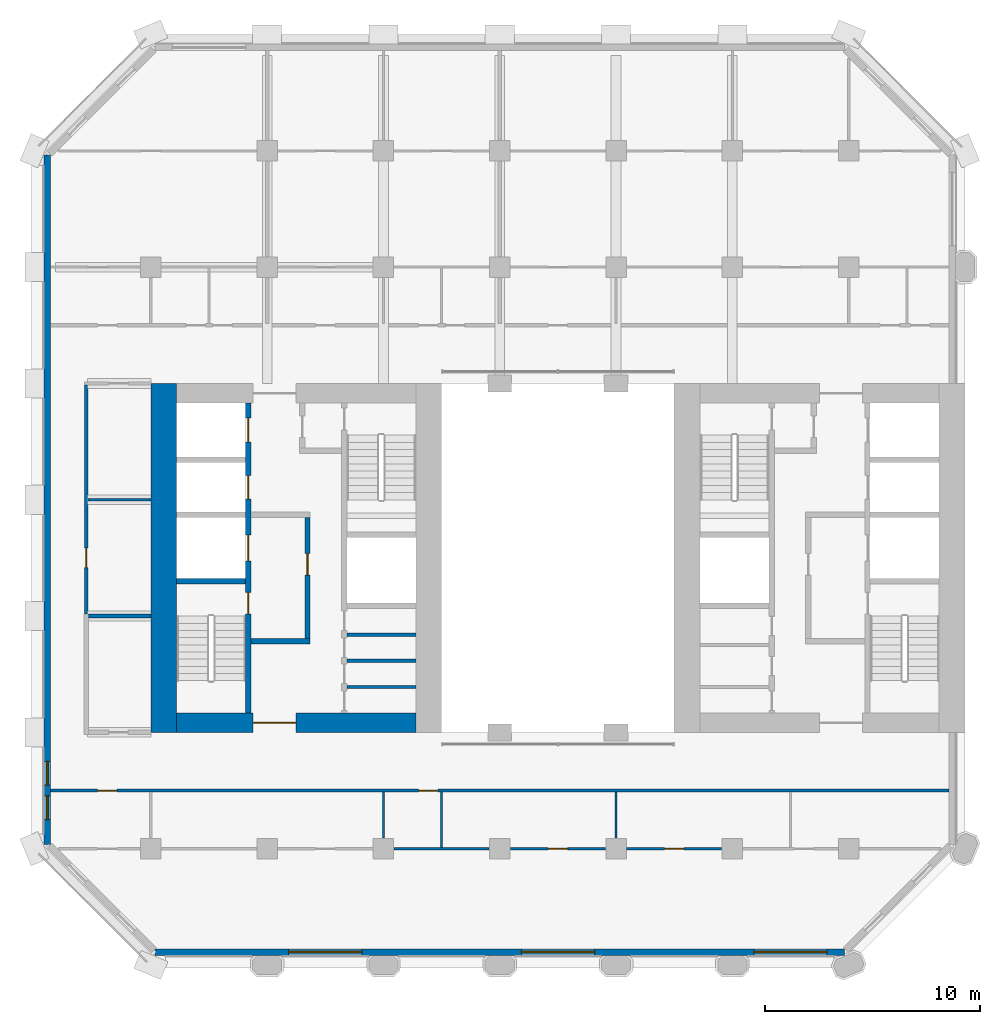
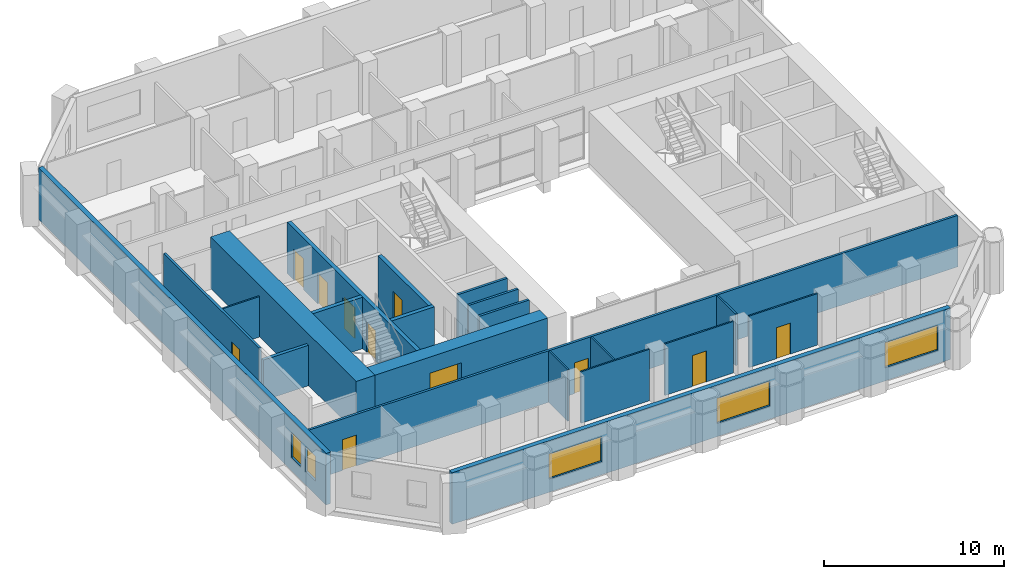
# One storey, part 6 of 12: 21 walls, 11 doors, 5 windows, 16 openings.
"""IFC4 building model written with IfcOpenShell, lengths in metres."""

from ifc_helpers import new_model, si_unit, direction, frame, frame_2d, origin, place, context, subcontext, project, spatial, rectangle, extrude, material, layer, layer_set, type_object, element, fill, save


model = new_model("IFC4")

# Units and contexts
model_context = context("Model", 3, precision=1e-05, world=origin(), true_north=direction((0.0, 1.0)))
body_context = subcontext(model_context, "Body", "Model", "MODEL_VIEW")
ifc_project = project(units=[si_unit("LENGTHUNIT", "METRE"), si_unit("AREAUNIT", "SQUARE_METRE"), si_unit("VOLUMEUNIT", "CUBIC_METRE"), si_unit("PLANEANGLEUNIT", "RADIAN"), si_unit("MASSUNIT", "GRAM", prefix="KILO")], contexts=[model_context])

# Site, building, storey
site_placement = place(None, origin())
site = spatial("IfcSite", under=ifc_project, at=site_placement, CompositionType="ELEMENT")
building_placement = place(site_placement, origin())
building = spatial("IfcBuilding", under=site, at=building_placement, Name="Tabaq Tower and Sports Hall", CompositionType="ELEMENT")
storey_placement = place(building_placement, frame((0.0, 0.0, 99.199951171875)))
storey = spatial("IfcBuildingStorey", under=building, at=storey_placement, Name="L23", CompositionType="ELEMENT", Elevation=99.199951171875)

# Walls
ifc_material_1 = material(Name="Blockwork", Category="masonry")
ifc_layer_1 = layer(ifc_material_1, 0.14990234375)
ifc_layer_set_1 = layer_set([ifc_layer_1], Name="Core room partition 150 Blockwork")
wall_type_1 = type_object("IfcWallType", Name="Core room partition 150 Blockwork", PredefinedType="PARTITIONING", material=ifc_layer_set_1)
for number, where, z_axis, x_axis, name in (
    (1, (14.5, 18.31201171875, 0.0), (0.0, 0.0, 1.0), (1.0, 0.0, 0.0), "Core room partition W L23"),
    (2, (14.5, 19.52490234375, 0.0), (0.0, 0.0, 1.0), (1.0, 0.0, 0.0), "Core room partition W L23"),
    (3, (14.5, 20.737060546875, 0.0), (0.0, 0.0, 1.0), (1.0, 0.0, 0.0), "Core room partition W L23"),
):
    element("IfcWall", number, at=place(storey_placement, frame(where, z_axis=z_axis, x_axis=x_axis)), inside=storey, type_object=wall_type_1, Name=name, PredefinedType="PARTITIONING", context=body_context, shape_type="SweptSolid", body=[
        extrude(rectangle(XDim=3.199951171875, YDim=0.14990234375, at=frame_2d((1.60009765625, 0.0))), origin(), (0.0, 0.0, 1.0), 3.5),
    ])
ifc_material_2 = material(Name="Concrete C60/75", Category="concrete")
ifc_layer_2 = layer(ifc_material_2, 1.199951171875)
ifc_layer_set_2 = layer_set([ifc_layer_2], Name="Core wall 1200 Concrete C60/75")
wall_type_2 = type_object("IfcWallType", Name="Core wall 1200 Concrete C60/75", PredefinedType="SOLIDWALL", material=ifc_layer_set_2)
wall_1_placement = place(storey_placement, frame((6.0, 16.199951171875, 0.0), z_axis=(0.0, 0.0, 1.0), x_axis=(0.0, 1.0, 0.0)))
element("IfcWall", 4, at=wall_1_placement, inside=storey, type_object=wall_type_2, Name="Core wall W L23", PredefinedType="SOLIDWALL", context=body_context, shape_type="SweptSolid", body=[
    extrude(rectangle(XDim=16.199951171875, YDim=1.199951171875, at=frame_2d((8.10009765625, 0.0))), origin(), (0.0, 0.0, 1.0), 3.5),
])

# Wall, opening, door
ifc_material_3 = material(Name="Concrete C60/75", Category="concrete")
ifc_layer_3 = layer(ifc_material_3, 0.89990234375)
ifc_layer_set_3 = layer_set([ifc_layer_3], Name="Core wall 900 Concrete C60/75")
wall_type_3 = type_object("IfcWallType", Name="Core wall 900 Concrete C60/75", PredefinedType="SOLIDWALL", material=ifc_layer_set_3)
wall_2_placement = place(storey_placement, frame((17.699951171875, 16.64990234375, 0.0), z_axis=(0.0, 0.0, 1.0), x_axis=(-1.0, 0.0, 0.0)))
wall_2 = element("IfcWall", 5, at=wall_2_placement, inside=storey, type_object=wall_type_3, Name="Core wall W L23", PredefinedType="SOLIDWALL", context=body_context, shape_type="SweptSolid", body=[
    extrude(rectangle(XDim=11.099853515625, YDim=0.89990234375, at=frame_2d((5.5498046875, 0.0))), origin(), (0.0, 0.0, 1.0), 3.5),
])
opening_1_placement = place(wall_2_placement, frame((5.550048828125, 0.0, 0.0)))
opening_1 = element("IfcOpeningElement", 6, at=opening_1_placement, cuts=wall_2, Name="Opening PD-WL23-01", PredefinedType="OPENING", context=body_context, shape_type="SweptSolid", body=[
    extrude(rectangle(XDim=2.0, YDim=2.39990234375, at=frame_2d((1.0, 1.199951171875))), frame((0.0, 0.449951171875, 0.0), z_axis=(0.0, -1.0, 0.0), x_axis=(1.0, 0.0, 0.0)), (0.0, 0.0, 1.0), 0.89990234375),
])
ifc_material_4 = material(Name="Steel fire door", Category="steel")
door_type_1 = type_object("IfcDoorType", Name="Core entrance door 2000", OperationType="DOUBLE_DOOR_SINGLE_SWING", PredefinedType="DOOR", material=ifc_material_4)
door_1_placement = place(opening_1_placement, origin())
door_1 = element("IfcDoor", 7, at=door_1_placement, inside=storey, type_object=door_type_1, Name="Core entrance south W L23", OperationType="DOUBLE_DOOR_SINGLE_SWING", OverallHeight=2.39990234375, OverallWidth=2.0, PredefinedType="DOOR", context=body_context, shape_type="SweptSolid", body=[
    extrude(rectangle(XDim=2.0, YDim=2.39990234375, at=frame_2d((1.0, 1.199951171875))), frame((0.0, 0.02490234375, 0.0), z_axis=(0.0, -1.0, 0.0), x_axis=(1.0, 0.0, 0.0)), (0.0, 0.0, 1.0), 0.050048828125),
])
fill(opening_1, door_1)

# Walls
ifc_material_5 = material(Name="Blockwork", Category="masonry")
ifc_layer_4 = layer(ifc_material_5, 0.199951171875)
ifc_layer_set_4 = layer_set([ifc_layer_4], Name="Fire compartment wall 200 Blockwork")
wall_type_4 = type_object("IfcWallType", Name="Fire compartment wall 200 Blockwork", PredefinedType="PARTITIONING", material=ifc_layer_set_4)
wall_3_placement = place(storey_placement, frame((5.39990234375, 21.60009765625, 0.0), z_axis=(0.0, 0.0, 1.0), x_axis=(-1.0, 0.0, 0.0)))
element("IfcWall", 8, at=wall_3_placement, inside=storey, type_object=wall_type_4, Name="Compartment wall L23", PredefinedType="PARTITIONING", context=body_context, shape_type="SweptSolid", body=[
    extrude(rectangle(XDim=2.89990234375, YDim=0.199951171875, at=frame_2d((1.449951171875, 0.0))), origin(), (0.0, 0.0, 1.0), 2.75),
])
ifc_material_6 = material(Name="Gypsum board on steel studs", Category="steel")
ifc_layer_5 = layer(ifc_material_6, 0.10009765625)
ifc_layer_set_5 = layer_set([ifc_layer_5], Name="Partition 100 Gypsum board")
wall_type_5 = type_object("IfcWallType", Name="Partition 100 Gypsum board", PredefinedType="PARTITIONING", material=ifc_layer_set_5)
wall_4_placement = place(storey_placement, frame((16.199951171875, 11.294921875, 0.0), z_axis=(0.0, 0.0, 1.0), x_axis=(0.0, 1.0, 0.0)))
element("IfcWall", 9, at=wall_4_placement, inside=storey, type_object=wall_type_5, Name="Partition wall L23", PredefinedType="PARTITIONING", context=body_context, shape_type="SweptSolid", body=[
    extrude(rectangle(XDim=2.130126953125, YDim=0.10009765625, at=frame_2d((1.06494140625, 0.0))), origin(), (0.0, 0.0, 1.0), 3.5),
])
wall_5_placement = place(storey_placement, frame((18.89990234375, 10.85009765625, 0.0), z_axis=(0.0, 0.0, 1.0), x_axis=(0.0, 1.0, 0.0)))
element("IfcWall", 10, at=wall_5_placement, inside=storey, type_object=wall_type_5, Name="Partition wall L23", PredefinedType="PARTITIONING", context=body_context, shape_type="SweptSolid", body=[
    extrude(rectangle(XDim=2.574951171875, YDim=0.10009765625, at=frame_2d((1.28759765625, 0.0))), origin(), (0.0, 0.0, 1.0), 3.5),
])
wall_6_placement = place(storey_placement, frame((16.695068359375, 10.800048828125, 0.0), z_axis=(0.0, 0.0, 1.0), x_axis=(1.0, 0.0, 0.0)))
element("IfcWall", 11, at=wall_6_placement, inside=storey, type_object=wall_type_5, Name="Partition wall L23", PredefinedType="PARTITIONING", context=body_context, shape_type="SweptSolid", body=[
    extrude(rectangle(XDim=4.409912109375, YDim=0.10009765625, at=frame_2d((2.205078125, 0.0))), origin(), (0.0, 0.0, 1.0), 3.5),
])

# Wall, opening, door
wall_7_placement = place(storey_placement, frame((22.094970703125, 10.800048828125, 0.0), z_axis=(0.0, 0.0, 1.0), x_axis=(1.0, 0.0, 0.0)))
wall_7 = element("IfcWall", 12, at=wall_7_placement, inside=storey, type_object=wall_type_5, Name="Partition wall L23", PredefinedType="PARTITIONING", context=body_context, shape_type="SweptSolid", body=[
    extrude(rectangle(XDim=4.409912109375, YDim=0.10009765625, at=frame_2d((2.205078125, 0.0))), origin(), (0.0, 0.0, 1.0), 3.5),
])
opening_2_placement = place(wall_7_placement, frame((1.7548828125, 0.0, 0.0)))
opening_2 = element("IfcOpeningElement", 13, at=opening_2_placement, cuts=wall_7, Name="Opening L23-019", PredefinedType="OPENING", context=body_context, shape_type="SweptSolid", body=[
    extrude(rectangle(XDim=0.89990234375, YDim=2.10009765625, at=frame_2d((0.449951171875, 1.050048828125))), frame((0.0, 0.050048828125, 0.0), z_axis=(0.0, -1.0, 0.0), x_axis=(1.0, 0.0, 0.0)), (0.0, 0.0, 1.0), 0.10009765625),
])
ifc_material_7 = material(Name="Timber leaf in steel frame", Category="steel")
door_type_2 = type_object("IfcDoorType", Name="Internal door 900 right hand", OperationType="SINGLE_SWING_RIGHT", PredefinedType="DOOR", material=ifc_material_7)
door_2_placement = place(opening_2_placement, origin())
door_2 = element("IfcDoor", 14, at=door_2_placement, inside=storey, type_object=door_type_2, Name="Internal door L23-019", OperationType="SINGLE_SWING_RIGHT", OverallHeight=2.10009765625, OverallWidth=0.89990234375, PredefinedType="DOOR", context=body_context, shape_type="SweptSolid", body=[
    extrude(rectangle(XDim=0.89990234375, YDim=2.10009765625, at=frame_2d((0.449951171875, 1.050048828125))), frame((0.0, 0.02490234375, 0.0), z_axis=(0.0, -1.0, 0.0), x_axis=(1.0, 0.0, 0.0)), (0.0, 0.0, 1.0), 0.050048828125),
])
fill(opening_2, door_2)

# Wall
wall_8_placement = place(storey_placement, frame((27.0, 11.294921875, 0.0), z_axis=(0.0, 0.0, 1.0), x_axis=(0.0, 1.0, 0.0)))
element("IfcWall", 15, at=wall_8_placement, inside=storey, type_object=wall_type_5, Name="Partition wall L23", PredefinedType="PARTITIONING", context=body_context, shape_type="SweptSolid", body=[
    extrude(rectangle(XDim=2.130126953125, YDim=0.10009765625, at=frame_2d((1.06494140625, 0.0))), origin(), (0.0, 0.0, 1.0), 3.5),
])

# Wall, opening, door
wall_9_placement = place(storey_placement, frame((27.4951171875, 10.800048828125, 0.0), z_axis=(0.0, 0.0, 1.0), x_axis=(1.0, 0.0, 0.0)))
wall_9 = element("IfcWall", 16, at=wall_9_placement, inside=storey, type_object=wall_type_5, Name="Partition wall L23", PredefinedType="PARTITIONING", context=body_context, shape_type="SweptSolid", body=[
    extrude(rectangle(XDim=4.409912109375, YDim=0.10009765625, at=frame_2d((2.205078125, 0.0))), origin(), (0.0, 0.0, 1.0), 3.5),
])
opening_3_placement = place(wall_9_placement, frame((1.7548828125, 0.0, 0.0)))
opening_3 = element("IfcOpeningElement", 17, at=opening_3_placement, cuts=wall_9, Name="Opening L23-020", PredefinedType="OPENING", context=body_context, shape_type="SweptSolid", body=[
    extrude(rectangle(XDim=0.89990234375, YDim=2.10009765625, at=frame_2d((0.449951171875, 1.050048828125))), frame((0.0, 0.050048828125, 0.0), z_axis=(0.0, -1.0, 0.0), x_axis=(1.0, 0.0, 0.0)), (0.0, 0.0, 1.0), 0.10009765625),
])
ifc_material_8 = material(Name="Timber leaf in steel frame", Category="steel")
door_type_3 = type_object("IfcDoorType", Name="Internal door 900 left hand", OperationType="SINGLE_SWING_LEFT", PredefinedType="DOOR", material=ifc_material_8)
door_3_placement = place(opening_3_placement, origin())
door_3 = element("IfcDoor", 18, at=door_3_placement, inside=storey, type_object=door_type_3, Name="Internal door L23-020", OperationType="SINGLE_SWING_LEFT", OverallHeight=2.10009765625, OverallWidth=0.89990234375, PredefinedType="DOOR", context=body_context, shape_type="SweptSolid", body=[
    extrude(rectangle(XDim=0.89990234375, YDim=2.10009765625, at=frame_2d((0.449951171875, 1.050048828125))), frame((0.0, 0.02490234375, 0.0), z_axis=(0.0, -1.0, 0.0), x_axis=(1.0, 0.0, 0.0)), (0.0, 0.0, 1.0), 0.050048828125),
])
fill(opening_3, door_3)

# Wall
wall_10_placement = place(storey_placement, frame((5.39990234375, 27.0, 0.0), z_axis=(0.0, 0.0, 1.0), x_axis=(-1.0, 0.0, 0.0)))
element("IfcWall", 19, at=wall_10_placement, inside=storey, type_object=wall_type_5, Name="Partition wall L23", PredefinedType="PARTITIONING", context=body_context, shape_type="SweptSolid", body=[
    extrude(rectangle(XDim=2.9248046875, YDim=0.10009765625, at=frame_2d((1.46240234375, 0.0))), origin(), (0.0, 0.0, 1.0), 2.75),
])

# Wall, opening, door
ifc_material_9 = material(Name="Blockwork", Category="masonry")
ifc_layer_6 = layer(ifc_material_9, 0.14990234375)
ifc_layer_set_6 = layer_set([ifc_layer_6], Name="Separating wall 150 Blockwork")
wall_type_6 = type_object("IfcWallType", Name="Separating wall 150 Blockwork", PredefinedType="PARTITIONING", material=ifc_layer_set_6)
wall_11_placement = place(storey_placement, frame((2.39990234375, 32.324951171875, 0.0), z_axis=(0.0, 0.0, 1.0), x_axis=(0.0, -1.0, 0.0)))
wall_11 = element("IfcWall", 20, at=wall_11_placement, inside=storey, type_object=wall_type_6, Name="Separating wall L23", PredefinedType="PARTITIONING", context=body_context, shape_type="SweptSolid", body=[
    extrude(rectangle(XDim=10.625, YDim=0.14990234375, at=frame_2d((5.3125, 0.0))), origin(), (0.0, 0.0, 1.0), 3.5),
])
opening_4_placement = place(wall_11_placement, frame((7.574951171875, 0.0, 0.0)))
opening_4 = element("IfcOpeningElement", 21, at=opening_4_placement, cuts=wall_11, Name="Opening L23-009", PredefinedType="OPENING", context=body_context, shape_type="SweptSolid", body=[
    extrude(rectangle(XDim=0.89990234375, YDim=2.10009765625, at=frame_2d((0.449951171875, 1.050048828125))), frame((0.0, 0.074951171875, 0.0), z_axis=(0.0, -1.0, 0.0), x_axis=(1.0, 0.0, 0.0)), (0.0, 0.0, 1.0), 0.14990234375),
])
door_4_placement = place(opening_4_placement, origin())
door_4 = element("IfcDoor", 22, at=door_4_placement, inside=storey, type_object=door_type_2, Name="Internal door L23-009", OperationType="SINGLE_SWING_RIGHT", OverallHeight=2.10009765625, OverallWidth=0.89990234375, PredefinedType="DOOR", context=body_context, shape_type="SweptSolid", body=[
    extrude(rectangle(XDim=0.89990234375, YDim=2.10009765625, at=frame_2d((0.449951171875, 1.050048828125))), frame((0.0, 0.02490234375, 0.0), z_axis=(0.0, -1.0, 0.0), x_axis=(1.0, 0.0, 0.0)), (0.0, 0.0, 1.0), 0.050048828125),
])
fill(opening_4, door_4)

# Wall, openings, doors
wall_12_placement = place(storey_placement, frame((42.448974609375, 13.5, 0.0), z_axis=(0.0, 0.0, 1.0), x_axis=(-1.0, 0.0, 0.0)))
wall_12 = element("IfcWall", 23, at=wall_12_placement, inside=storey, type_object=wall_type_6, Name="Separating wall L23", PredefinedType="PARTITIONING", context=body_context, shape_type="SweptSolid", body=[
    extrude(rectangle(XDim=41.697998046875, YDim=0.14990234375, at=frame_2d((20.84912109375, 0.0))), origin(), (0.0, 0.0, 1.0), 3.5),
])
opening_5_placement = place(wall_12_placement, frame((23.718994140625, 0.0, 0.0)))
opening_5 = element("IfcOpeningElement", 24, at=opening_5_placement, cuts=wall_12, Name="Opening L23-007", PredefinedType="OPENING", context=body_context, shape_type="SweptSolid", body=[
    extrude(rectangle(XDim=0.89990234375, YDim=2.10009765625, at=frame_2d((0.449951171875, 1.050048828125))), frame((0.0, 0.074951171875, 0.0), z_axis=(0.0, -1.0, 0.0), x_axis=(1.0, 0.0, 0.0)), (0.0, 0.0, 1.0), 0.14990234375),
])
opening_6_placement = place(wall_12_placement, frame((38.6240234375, 0.0, 0.0)))
opening_6 = element("IfcOpeningElement", 25, at=opening_6_placement, cuts=wall_12, Name="Opening L23-025", PredefinedType="OPENING", context=body_context, shape_type="SweptSolid", body=[
    extrude(rectangle(XDim=0.89990234375, YDim=2.10009765625, at=frame_2d((0.449951171875, 1.050048828125))), frame((0.0, 0.074951171875, 0.0), z_axis=(0.0, -1.0, 0.0), x_axis=(1.0, 0.0, 0.0)), (0.0, 0.0, 1.0), 0.14990234375),
])
ifc_material_10 = material(Name="Steel fire door", Category="steel")
door_type_4 = type_object("IfcDoorType", Name="Entrance door 900 right hand", OperationType="SINGLE_SWING_RIGHT", PredefinedType="DOOR", material=ifc_material_10)
door_5_placement = place(opening_5_placement, origin())
door_5 = element("IfcDoor", 26, at=door_5_placement, inside=storey, type_object=door_type_4, Name="Entrance door L23-007", OperationType="SINGLE_SWING_RIGHT", OverallHeight=2.10009765625, OverallWidth=0.89990234375, PredefinedType="DOOR", context=body_context, shape_type="SweptSolid", body=[
    extrude(rectangle(XDim=0.89990234375, YDim=2.10009765625, at=frame_2d((0.449951171875, 1.050048828125))), frame((0.0, 0.02490234375, 0.0), z_axis=(0.0, -1.0, 0.0), x_axis=(1.0, 0.0, 0.0)), (0.0, 0.0, 1.0), 0.050048828125),
])
fill(opening_5, door_5)
door_6_placement = place(opening_6_placement, origin())
door_6 = element("IfcDoor", 27, at=door_6_placement, inside=storey, type_object=door_type_4, Name="Entrance door L23-025", OperationType="SINGLE_SWING_RIGHT", OverallHeight=2.10009765625, OverallWidth=0.89990234375, PredefinedType="DOOR", context=body_context, shape_type="SweptSolid", body=[
    extrude(rectangle(XDim=0.89990234375, YDim=2.10009765625, at=frame_2d((0.449951171875, 1.050048828125))), frame((0.0, 0.02490234375, 0.0), z_axis=(0.0, -1.0, 0.0), x_axis=(1.0, 0.0, 0.0)), (0.0, 0.0, 1.0), 0.050048828125),
])
fill(opening_6, door_6)

ifc_material_11 = material(Name="Concrete C40/50", Category="concrete")
ifc_layer_7 = layer(ifc_material_11, 0.25)
ifc_layer_set_7 = layer_set([ifc_layer_7], Name="Shaft and stair wall 250 Concrete C40/50")
wall_type_7 = type_object("IfcWallType", Name="Shaft and stair wall 250 Concrete C40/50", PredefinedType="SOLIDWALL", material=ifc_layer_set_7)
wall_13_placement = place(storey_placement, frame((9.925048828125, 17.10009765625, 0.0), z_axis=(0.0, 0.0, 1.0), x_axis=(0.0, 1.0, 0.0)))
wall_13 = element("IfcWall", 28, at=wall_13_placement, inside=storey, type_object=wall_type_7, Name="Shaft wall W L23", PredefinedType="SOLIDWALL", context=body_context, shape_type="SweptSolid", body=[
    extrude(rectangle(XDim=14.39990234375, YDim=0.25, at=frame_2d((7.199951171875, 0.0))), origin(), (0.0, 0.0, 1.0), 3.5),
])
opening_7_placement = place(wall_13_placement, frame((4.60009765625, 0.0, 0.0)))
opening_7 = element("IfcOpeningElement", 29, at=opening_7_placement, cuts=wall_13, Name="Opening SD-WL23-03", PredefinedType="OPENING", context=body_context, shape_type="SweptSolid", body=[
    extrude(rectangle(XDim=1.0, YDim=2.10009765625, at=frame_2d((0.5, 1.050048828125))), frame((0.0, 0.125, 0.0), z_axis=(0.0, -1.0, 0.0), x_axis=(1.0, 0.0, 0.0)), (0.0, 0.0, 1.0), 0.25),
])
opening_8_placement = place(wall_13_placement, frame((7.0625, 0.0, 0.0)))
opening_8 = element("IfcOpeningElement", 30, at=opening_8_placement, cuts=wall_13, Name="Opening LD-FF1-L23", PredefinedType="OPENING", context=body_context, shape_type="SweptSolid", body=[
    extrude(rectangle(XDim=1.199951171875, YDim=2.10009765625, at=frame_2d((0.60009765625, 1.050048828125))), frame((0.0, 0.125, 0.0), z_axis=(0.0, -1.0, 0.0), x_axis=(1.0, 0.0, 0.0)), (0.0, 0.0, 1.0), 0.25),
])
opening_9_placement = place(wall_13_placement, frame((9.925048828125, 0.0, 0.0)))
opening_9 = element("IfcOpeningElement", 31, at=opening_9_placement, cuts=wall_13, Name="Opening LD-LR1-L23", PredefinedType="OPENING", context=body_context, shape_type="SweptSolid", body=[
    extrude(rectangle(XDim=1.10009765625, YDim=2.10009765625, at=frame_2d((0.550048828125, 1.050048828125))), frame((0.0, 0.125, 0.0), z_axis=(0.0, -1.0, 0.0), x_axis=(1.0, 0.0, 0.0)), (0.0, 0.0, 1.0), 0.25),
])
opening_10_placement = place(wall_13_placement, frame((12.58740234375, 0.0, 0.0)))
opening_10 = element("IfcOpeningElement", 32, at=opening_10_placement, cuts=wall_13, Name="Opening LD-LR2-L23", PredefinedType="OPENING", context=body_context, shape_type="SweptSolid", body=[
    extrude(rectangle(XDim=1.10009765625, YDim=2.10009765625, at=frame_2d((0.550048828125, 1.050048828125))), frame((0.0, 0.125, 0.0), z_axis=(0.0, -1.0, 0.0), x_axis=(1.0, 0.0, 0.0)), (0.0, 0.0, 1.0), 0.25),
])
ifc_material_12 = material(Name="Stainless steel", Category="steel")
door_type_5 = type_object("IfcDoorType", Name="Lift landing door 1100", OperationType="DOUBLE_DOOR_SLIDING", PredefinedType="DOOR", material=ifc_material_12)
door_7_placement = place(opening_9_placement, origin())
door_7 = element("IfcDoor", 33, at=door_7_placement, inside=storey, type_object=door_type_5, Name="Lift landing door LR1 W L23", OperationType="DOUBLE_DOOR_SLIDING", OverallHeight=2.10009765625, OverallWidth=1.10009765625, PredefinedType="DOOR", context=body_context, shape_type="SweptSolid", body=[
    extrude(rectangle(XDim=1.10009765625, YDim=2.10009765625, at=frame_2d((0.550048828125, 1.050048828125))), frame((0.0, 0.02490234375, 0.0), z_axis=(0.0, -1.0, 0.0), x_axis=(1.0, 0.0, 0.0)), (0.0, 0.0, 1.0), 0.050048828125),
])
fill(opening_9, door_7)
door_8_placement = place(opening_10_placement, origin())
door_8 = element("IfcDoor", 34, at=door_8_placement, inside=storey, type_object=door_type_5, Name="Lift landing door LR2 W L23", OperationType="DOUBLE_DOOR_SLIDING", OverallHeight=2.10009765625, OverallWidth=1.10009765625, PredefinedType="DOOR", context=body_context, shape_type="SweptSolid", body=[
    extrude(rectangle(XDim=1.10009765625, YDim=2.10009765625, at=frame_2d((0.550048828125, 1.050048828125))), frame((0.0, 0.02490234375, 0.0), z_axis=(0.0, -1.0, 0.0), x_axis=(1.0, 0.0, 0.0)), (0.0, 0.0, 1.0), 0.050048828125),
])
fill(opening_10, door_8)
ifc_material_13 = material(Name="Stainless steel", Category="steel")
door_type_6 = type_object("IfcDoorType", Name="Lift landing door 1200", OperationType="DOUBLE_DOOR_SLIDING", PredefinedType="DOOR", material=ifc_material_13)
door_9_placement = place(opening_8_placement, origin())
door_9 = element("IfcDoor", 35, at=door_9_placement, inside=storey, type_object=door_type_6, Name="Lift landing door FF1 W L23", OperationType="DOUBLE_DOOR_SLIDING", OverallHeight=2.10009765625, OverallWidth=1.199951171875, PredefinedType="DOOR", context=body_context, shape_type="SweptSolid", body=[
    extrude(rectangle(XDim=1.199951171875, YDim=2.10009765625, at=frame_2d((0.60009765625, 1.050048828125))), frame((0.0, 0.02490234375, 0.0), z_axis=(0.0, -1.0, 0.0), x_axis=(1.0, 0.0, 0.0)), (0.0, 0.0, 1.0), 0.050048828125),
])
fill(opening_8, door_9)
ifc_material_14 = material(Name="Steel fire door", Category="steel")
door_type_7 = type_object("IfcDoorType", Name="Stair door 1000", OperationType="SINGLE_SWING_LEFT", PredefinedType="DOOR", material=ifc_material_14)
door_10_placement = place(opening_7_placement, origin())
door_10 = element("IfcDoor", 36, at=door_10_placement, inside=storey, type_object=door_type_7, Name="Stair door ST1 W L23", OperationType="SINGLE_SWING_LEFT", OverallHeight=2.10009765625, OverallWidth=1.0, PredefinedType="DOOR", context=body_context, shape_type="SweptSolid", body=[
    extrude(rectangle(XDim=1.0, YDim=2.10009765625, at=frame_2d((0.5, 1.050048828125))), frame((0.0, 0.02490234375, 0.0), z_axis=(0.0, -1.0, 0.0), x_axis=(1.0, 0.0, 0.0)), (0.0, 0.0, 1.0), 0.050048828125),
])
fill(opening_7, door_10)

# Walls
wall_14_placement = place(storey_placement, frame((6.60009765625, 23.22509765625, 0.0), z_axis=(0.0, 0.0, 1.0), x_axis=(1.0, 0.0, 0.0)))
element("IfcWall", 37, at=wall_14_placement, inside=storey, type_object=wall_type_7, Name="Stair enclosure wall W L23", PredefinedType="SOLIDWALL", context=body_context, shape_type="SweptSolid", body=[
    extrude(rectangle(XDim=3.199951171875, YDim=0.25, at=frame_2d((1.60009765625, 0.0))), origin(), (0.0, 0.0, 1.0), 3.5),
])
wall_15_placement = place(storey_placement, frame((10.050048828125, 20.425048828125, 0.0), z_axis=(0.0, 0.0, 1.0), x_axis=(1.0, 0.0, 0.0)))
element("IfcWall", 38, at=wall_15_placement, inside=storey, type_object=wall_type_7, Name="Fire-fighting lobby wall W L23", PredefinedType="SOLIDWALL", context=body_context, shape_type="SweptSolid", body=[
    extrude(rectangle(XDim=2.75, YDim=0.25, at=frame_2d((1.375, 0.0))), origin(), (0.0, 0.0, 1.0), 3.5),
])

# Wall, opening, door
wall_16_placement = place(storey_placement, frame((12.675048828125, 20.550048828125, 0.0), z_axis=(0.0, 0.0, 1.0), x_axis=(0.0, 1.0, 0.0)))
wall_16 = element("IfcWall", 39, at=wall_16_placement, inside=storey, type_object=wall_type_7, Name="Fire-fighting lobby wall W L23", PredefinedType="SOLIDWALL", context=body_context, shape_type="SweptSolid", body=[
    extrude(rectangle(XDim=5.625, YDim=0.25, at=frame_2d((2.8125, 0.0))), origin(), (0.0, 0.0, 1.0), 3.5),
])
opening_11_placement = place(wall_16_placement, frame((2.949951171875, 0.0, 0.0)))
opening_11 = element("IfcOpeningElement", 40, at=opening_11_placement, cuts=wall_16, Name="Opening FD-WL23-04", PredefinedType="OPENING", context=body_context, shape_type="SweptSolid", body=[
    extrude(rectangle(XDim=1.0, YDim=2.10009765625, at=frame_2d((0.5, 1.050048828125))), frame((0.0, 0.125, 0.0), z_axis=(0.0, -1.0, 0.0), x_axis=(1.0, 0.0, 0.0)), (0.0, 0.0, 1.0), 0.25),
])
ifc_material_15 = material(Name="Steel fire door", Category="steel")
door_type_8 = type_object("IfcDoorType", Name="Fire-fighting lobby door 1000", OperationType="SINGLE_SWING_LEFT", PredefinedType="DOOR", material=ifc_material_15)
door_11_placement = place(opening_11_placement, origin())
door_11 = element("IfcDoor", 41, at=door_11_placement, inside=storey, type_object=door_type_8, Name="Fire-fighting lobby door W L23", OperationType="SINGLE_SWING_LEFT", OverallHeight=2.10009765625, OverallWidth=1.0, PredefinedType="DOOR", context=body_context, shape_type="SweptSolid", body=[
    extrude(rectangle(XDim=1.0, YDim=2.10009765625, at=frame_2d((0.5, 1.050048828125))), frame((0.0, 0.02490234375, 0.0), z_axis=(0.0, -1.0, 0.0), x_axis=(1.0, 0.0, 0.0)), (0.0, 0.0, 1.0), 0.050048828125),
])
fill(opening_11, door_11)

# Wall, openings, windows
ifc_material_16 = material(Name="White precast concrete C60/75", Category="concrete")
ifc_layer_8 = layer(ifc_material_16, 0.300048828125)
ifc_layer_set_8 = layer_set([ifc_layer_8], Name="White precast concrete C60/75 external wall 300")
wall_type_8 = type_object("IfcWallType", Name="White precast concrete C60/75 external wall 300", PredefinedType="SOLIDWALL", material=ifc_layer_set_8)
wall_17_placement = place(storey_placement, frame((5.58642578125, 6.0, 0.0), z_axis=(0.0, 0.0, 1.0), x_axis=(1.0, 0.0, 0.0)))
wall_17 = element("IfcWall", 42, at=wall_17_placement, inside=storey, type_object=wall_type_8, Name="External Wall L23 S", PredefinedType="SOLIDWALL", context=body_context, shape_type="SweptSolid", body=[
    extrude(rectangle(XDim=32.027099609375, YDim=0.300048828125, at=frame_2d((16.013671875, 0.0))), origin(), (0.0, 0.0, 1.0), 3.5),
])
opening_12_placement = place(wall_17_placement, frame((6.213623046875, 0.0, 0.89990234375)))
opening_12 = element("IfcOpeningElement", 43, at=opening_12_placement, cuts=wall_17, Name="Opening W1A", PredefinedType="OPENING", context=body_context, shape_type="SweptSolid", body=[
    extrude(rectangle(XDim=3.39990234375, YDim=1.699951171875, at=frame_2d((1.699951171875, 0.85009765625))), frame((0.0, 0.16015625, 0.0), z_axis=(0.0, -1.0, 0.0), x_axis=(1.0, 0.0, 0.0)), (0.0, 0.0, 1.0), 0.320068359375),
])
opening_13_placement = place(wall_17_placement, frame((17.013671875, 0.0, 0.89990234375)))
opening_13 = element("IfcOpeningElement", 44, at=opening_13_placement, cuts=wall_17, Name="Opening W1A", PredefinedType="OPENING", context=body_context, shape_type="SweptSolid", body=[
    extrude(rectangle(XDim=3.39990234375, YDim=1.699951171875, at=frame_2d((1.699951171875, 0.85009765625))), frame((0.0, 0.16015625, 0.0), z_axis=(0.0, -1.0, 0.0), x_axis=(1.0, 0.0, 0.0)), (0.0, 0.0, 1.0), 0.320068359375),
])
opening_14_placement = place(wall_17_placement, frame((27.813720703125, 0.0, 0.89990234375)))
opening_14 = element("IfcOpeningElement", 45, at=opening_14_placement, cuts=wall_17, Name="Opening W1A", PredefinedType="OPENING", context=body_context, shape_type="SweptSolid", body=[
    extrude(rectangle(XDim=3.39990234375, YDim=1.699951171875, at=frame_2d((1.699951171875, 0.85009765625))), frame((0.0, 0.16015625, 0.0), z_axis=(0.0, -1.0, 0.0), x_axis=(1.0, 0.0, 0.0)), (0.0, 0.0, 1.0), 0.320068359375),
])
ifc_material_17 = material(Name="Aluminium framed clear glazing", Category="aluminium")
window_type_1 = type_object("IfcWindowType", Name="Window W1A", PartitioningType="SINGLE_PANEL", PredefinedType="WINDOW", material=ifc_material_17)
window_1_placement = place(opening_12_placement, origin())
window_1 = element("IfcWindow", 46, at=window_1_placement, inside=storey, type_object=window_type_1, Name="Window W1A L23", OverallHeight=1.699951171875, OverallWidth=3.39990234375, PartitioningType="SINGLE_PANEL", PredefinedType="WINDOW", context=body_context, shape_type="SweptSolid", body=[
    extrude(rectangle(XDim=3.39990234375, YDim=1.699951171875, at=frame_2d((1.699951171875, 0.85009765625))), frame((0.0, 0.030029296875, 0.0), z_axis=(0.0, -1.0, 0.0), x_axis=(1.0, 0.0, 0.0)), (0.0, 0.0, 1.0), 0.06005859375),
])
fill(opening_12, window_1)
window_2_placement = place(opening_13_placement, origin())
window_2 = element("IfcWindow", 47, at=window_2_placement, inside=storey, type_object=window_type_1, Name="Window W1A L23", OverallHeight=1.699951171875, OverallWidth=3.39990234375, PartitioningType="SINGLE_PANEL", PredefinedType="WINDOW", context=body_context, shape_type="SweptSolid", body=[
    extrude(rectangle(XDim=3.39990234375, YDim=1.699951171875, at=frame_2d((1.699951171875, 0.85009765625))), frame((0.0, 0.030029296875, 0.0), z_axis=(0.0, -1.0, 0.0), x_axis=(1.0, 0.0, 0.0)), (0.0, 0.0, 1.0), 0.06005859375),
])
fill(opening_13, window_2)
window_3_placement = place(opening_14_placement, origin())
window_3 = element("IfcWindow", 48, at=window_3_placement, inside=storey, type_object=window_type_1, Name="Window W1A L23", OverallHeight=1.699951171875, OverallWidth=3.39990234375, PartitioningType="SINGLE_PANEL", PredefinedType="WINDOW", context=body_context, shape_type="SweptSolid", body=[
    extrude(rectangle(XDim=3.39990234375, YDim=1.699951171875, at=frame_2d((1.699951171875, 0.85009765625))), frame((0.0, 0.030029296875, 0.0), z_axis=(0.0, -1.0, 0.0), x_axis=(1.0, 0.0, 0.0)), (0.0, 0.0, 1.0), 0.06005859375),
])
fill(opening_14, window_3)

wall_18_placement = place(storey_placement, frame((0.60009765625, 43.013671875, 0.0), z_axis=(0.0, 0.0, 1.0), x_axis=(0.0, -1.0, 0.0)))
wall_18 = element("IfcWall", 49, at=wall_18_placement, inside=storey, type_object=wall_type_8, Name="External Wall L23 W", PredefinedType="SOLIDWALL", context=body_context, shape_type="SweptSolid", body=[
    extrude(rectangle(XDim=32.02734375, YDim=0.300048828125, at=frame_2d((16.013671875, 0.0))), origin(), (0.0, 0.0, 1.0), 3.5),
])
opening_15_placement = place(wall_18_placement, frame((28.16357421875, 0.0, 0.89990234375)))
opening_15 = element("IfcOpeningElement", 50, at=opening_15_placement, cuts=wall_18, Name="Opening W1B", PredefinedType="OPENING", context=body_context, shape_type="SweptSolid", body=[
    extrude(rectangle(XDim=1.10009765625, YDim=1.699951171875, at=frame_2d((0.550048828125, 0.85009765625))), frame((0.0, 0.16015625, 0.0), z_axis=(0.0, -1.0, 0.0), x_axis=(1.0, 0.0, 0.0)), (0.0, 0.0, 1.0), 0.320068359375),
])
opening_16_placement = place(wall_18_placement, frame((29.763671875, 0.0, 0.89990234375)))
opening_16 = element("IfcOpeningElement", 51, at=opening_16_placement, cuts=wall_18, Name="Opening W1B", PredefinedType="OPENING", context=body_context, shape_type="SweptSolid", body=[
    extrude(rectangle(XDim=1.10009765625, YDim=1.699951171875, at=frame_2d((0.550048828125, 0.85009765625))), frame((0.0, 0.16015625, 0.0), z_axis=(0.0, -1.0, 0.0), x_axis=(1.0, 0.0, 0.0)), (0.0, 0.0, 1.0), 0.320068359375),
])
ifc_material_18 = material(Name="Aluminium framed clear glazing", Category="aluminium")
window_type_2 = type_object("IfcWindowType", Name="Window W1B", PartitioningType="SINGLE_PANEL", PredefinedType="WINDOW", material=ifc_material_18)
window_4_placement = place(opening_15_placement, origin())
window_4 = element("IfcWindow", 52, at=window_4_placement, inside=storey, type_object=window_type_2, Name="Window W1B L23", OverallHeight=1.699951171875, OverallWidth=1.10009765625, PartitioningType="SINGLE_PANEL", PredefinedType="WINDOW", context=body_context, shape_type="SweptSolid", body=[
    extrude(rectangle(XDim=1.10009765625, YDim=1.699951171875, at=frame_2d((0.550048828125, 0.85009765625))), frame((0.0, 0.030029296875, 0.0), z_axis=(0.0, -1.0, 0.0), x_axis=(1.0, 0.0, 0.0)), (0.0, 0.0, 1.0), 0.06005859375),
])
fill(opening_15, window_4)
window_5_placement = place(opening_16_placement, origin())
window_5 = element("IfcWindow", 53, at=window_5_placement, inside=storey, type_object=window_type_2, Name="Window W1B L23", OverallHeight=1.699951171875, OverallWidth=1.10009765625, PartitioningType="SINGLE_PANEL", PredefinedType="WINDOW", context=body_context, shape_type="SweptSolid", body=[
    extrude(rectangle(XDim=1.10009765625, YDim=1.699951171875, at=frame_2d((0.550048828125, 0.85009765625))), frame((0.0, 0.030029296875, 0.0), z_axis=(0.0, -1.0, 0.0), x_axis=(1.0, 0.0, 0.0)), (0.0, 0.0, 1.0), 0.06005859375),
])
fill(opening_16, window_5)

save(model, "model.ifc")
